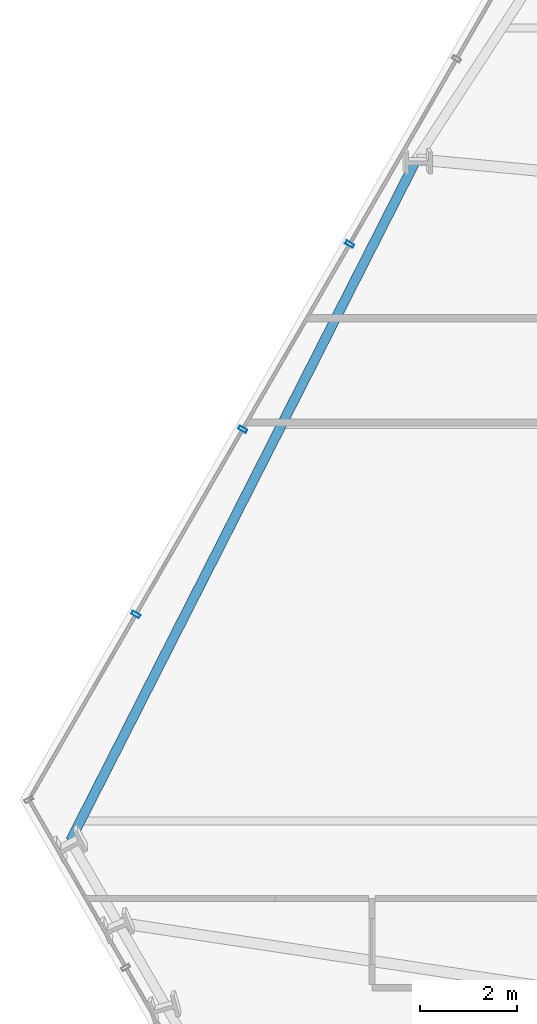
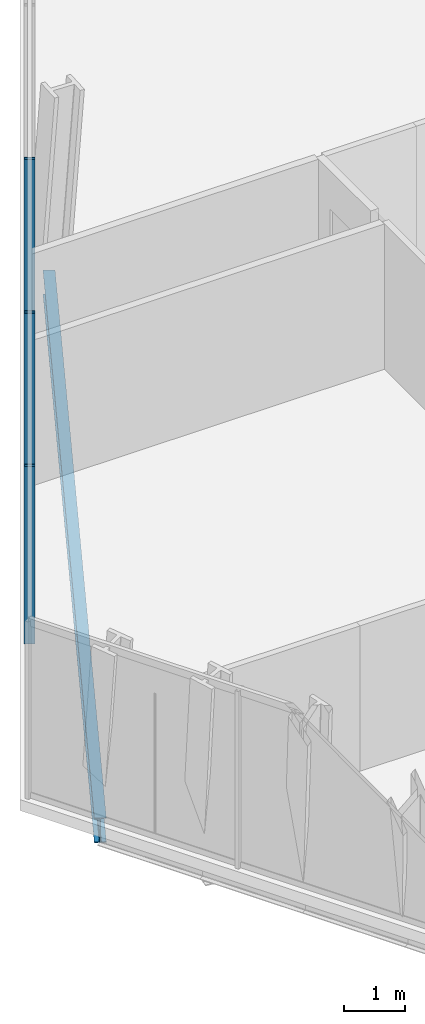
# One storey, part 10 of 32: 3 members, 1 beam, 1 element without a shape of its own.
"""IFC4 building model written with IfcOpenShell, lengths in metres."""

import ifcopenshell
import ifcopenshell.guid

model = None  # the IFC model being written
_history = None  # IfcOwnerHistory: only IFC2X3 demands one
_inside = {}  # id of a spatial element -> (the spatial element, [elements in it])
_under = {}  # id of a project, library or spatial element -> (it, [spatial elements below it])
_declared = {}  # id of a project -> (the project, [libraries it declares])
_typed = {}  # id of a type object -> (the type object, [elements of that type])
_made_of = {}  # id of a material, layer set ... -> (it, [elements and type objects made of it])


def new_model(schema):
    """Start an empty IFC model of exactly this schema.

    Asked for "IFC4X3", IfcOpenShell would pick the latest addendum, in which some entities
    have other attributes; the version numbers below select the first issue.
    IFC2X3 requires an IfcOwnerHistory on every rooted entity: one is made here for all.
    """
    global model, _history
    if schema == "IFC4X3":
        model = ifcopenshell.file(schema_version=(4, 3, 0, 0))
    else:
        model = ifcopenshell.file(schema=schema)
    _inside.clear()
    _under.clear()
    _declared.clear()
    _typed.clear()
    _made_of.clear()
    _history = None
    if model.schema == "IFC2X3":
        org = make("IfcOrganization", Name="unknown")
        user = make(
            "IfcPersonAndOrganization",
            ThePerson=make("IfcPerson", FamilyName="unknown"),
            TheOrganization=org,
        )
        app = make(
            "IfcApplication",
            ApplicationDeveloper=org,
            Version="unknown",
            ApplicationFullName="unknown",
            ApplicationIdentifier="unknown",
        )
        _history = make(
            "IfcOwnerHistory",
            OwningUser=user,
            OwningApplication=app,
            ChangeAction="ADDED",
            CreationDate=0,
        )
    return model


def make(cls, **values):
    """One entity of the class cls with the attributes given. An attribute that is None is left unset."""
    return model.create_entity(
        cls, **{name: value for name, value in values.items() if value is not None}
    )


def rooted(cls, **values):
    """An entity with a GlobalId (a new one), such as an element, a storey or a relation."""
    return make(cls, GlobalId=ifcopenshell.guid.new(), OwnerHistory=_history, **values)


def si_unit(unit_type, name, prefix=None):
    """IfcSIUnit, for example si_unit("LENGTHUNIT", "METRE", prefix="MILLI")."""
    return make("IfcSIUnit", UnitType=unit_type, Prefix=prefix, Name=name)


def assignment(units):
    """IfcUnitAssignment: the units of a project."""
    return None if units is None else make("IfcUnitAssignment", Units=units)


def point(xyz):
    """IfcCartesianPoint."""
    return None if xyz is None else make("IfcCartesianPoint", Coordinates=xyz)


def direction(xyz):
    """IfcDirection."""
    return None if xyz is None else make("IfcDirection", DirectionRatios=xyz)


def frame(location, z_axis=None, x_axis=None):
    """IfcAxis2Placement3D, a coordinate frame: its origin and axes. An axis left out is left unset."""
    return make(
        "IfcAxis2Placement3D",
        Location=point(location),
        Axis=direction(z_axis),
        RefDirection=direction(x_axis),
    )


def frame_2d(location, x_axis=None):
    """IfcAxis2Placement2D, a coordinate frame in the plane: its origin and x axis."""
    return make(
        "IfcAxis2Placement2D", Location=point(location), RefDirection=direction(x_axis)
    )


def origin():
    """The frame at (0, 0, 0) with its axes left unset."""
    return frame((0.0, 0.0, 0.0))


def origin_2d():
    """The frame at (0, 0) in the plane with its x axis left unset."""
    return frame_2d((0.0, 0.0))


def place(relative_to, where):
    """IfcLocalPlacement: puts the frame where relative to a parent placement (None: the world)."""
    return make(
        "IfcLocalPlacement", PlacementRelTo=relative_to, RelativePlacement=where
    )


def context(
    kind, dimensions, precision=None, world=None, true_north=None, identifier=None
):
    """IfcGeometricRepresentationContext, for example the 3D "Model" context."""
    return make(
        "IfcGeometricRepresentationContext",
        ContextIdentifier=identifier,
        ContextType=kind,
        CoordinateSpaceDimension=dimensions,
        Precision=precision,
        WorldCoordinateSystem=world,
        TrueNorth=true_north,
    )


def subcontext(parent, identifier, kind, view, scale=None):
    """IfcGeometricRepresentationSubContext, for example "Body" below "Model"."""
    return make(
        "IfcGeometricRepresentationSubContext",
        ContextIdentifier=identifier,
        ContextType=kind,
        ParentContext=parent,
        TargetScale=scale,
        TargetView=view,
    )


def project(units=None, contexts=None):
    """IfcProject with its units and contexts."""
    return rooted(
        "IfcProject",
        Name="project",
        RepresentationContexts=contexts,
        UnitsInContext=assignment(units),
    )


def spatial(cls, under=None, at=None, **own):
    """A site, building, storey or space (cls), placed at a placement, below another one or the project."""
    s = rooted(cls, ObjectPlacement=at, **own)
    if under is not None:
        _under.setdefault(under.id(), (under, []))[1].append(s)
    return s


def profile(cls, at=None, kind="AREA", **sizes):
    """A parametric profile (cls). Its sizes go by their IFC names, for example OverallWidth=200.0."""
    return make(cls, ProfileType=kind, Position=at, **sizes)


def hollow_rectangle(**sizes):
    """IfcRectangleHollowProfileDef."""
    return profile("IfcRectangleHollowProfileDef", **sizes)


def i_section(**sizes):
    """IfcIShapeProfileDef."""
    return profile("IfcIShapeProfileDef", **sizes)


def extrude(swept, where, along, depth):
    """IfcExtrudedAreaSolid: the profile swept, set in the frame where, extruded along a direction by depth."""
    return make(
        "IfcExtrudedAreaSolid",
        SweptArea=swept,
        Position=where,
        ExtrudedDirection=direction(along),
        Depth=depth,
    )


def shape(context_of_items, identifier, shape_type, items):
    """IfcShapeRepresentation: the items that make up one representation, for example the "Body"."""
    return make(
        "IfcShapeRepresentation",
        ContextOfItems=context_of_items,
        RepresentationIdentifier=identifier,
        RepresentationType=shape_type,
        Items=items,
    )


def material(Name=None, Category=None):
    """IfcMaterial."""
    return make("IfcMaterial", Name=Name, Category=Category)


def layer(
    of_material, thickness, ventilated=None, Name=None, Category=None, Priority=None
):
    """IfcMaterialLayer: one layer of a wall or slab, of a material (None: an air gap)."""
    return make(
        "IfcMaterialLayer",
        Material=of_material,
        LayerThickness=thickness,
        IsVentilated=ventilated,
        Name=Name,
        Category=Category,
        Priority=Priority,
    )


def layer_set(layers, Name=None):
    """IfcMaterialLayerSet."""
    return make("IfcMaterialLayerSet", MaterialLayers=layers, LayerSetName=Name)


def material_profile(
    of_material, cross_section, Name=None, Category=None, Priority=None
):
    """IfcMaterialProfile: a cross section and its material."""
    return make(
        "IfcMaterialProfile",
        Name=Name,
        Material=of_material,
        Profile=cross_section,
        Priority=Priority,
        Category=Category,
    )


def profile_set(profiles, Name=None, composite=None):
    """IfcMaterialProfileSet."""
    return make(
        "IfcMaterialProfileSet",
        Name=Name,
        MaterialProfiles=profiles,
        CompositeProfile=composite,
    )


def made_of(thing, what):
    """Note that an element or type object is made of a material, layer set ...; save() writes the relation."""
    if what is not None:
        _made_of.setdefault(what.id(), (what, []))[1].append(thing)
    return thing


def type_object(cls, material=None, **own):
    """A type object (cls), such as IfcWallType, which elements share."""
    return made_of(rooted(cls, **own), material)


def element(
    cls,
    number,
    at=None,
    inside=None,
    cuts=None,
    type_object=None,
    material=None,
    context=None,
    identifier="Body",
    shape_type=None,
    held_by="IfcProductDefinitionShape",
    body=None,
    shapes=None,
    **own,
):
    """One element of the class cls, such as IfcWall. Its Tag is "e" and its number.

    at: its placement. inside: the storey or other place that contains it. cuts: it is an
    opening in that element (IfcRelVoidsElement). A single representation is given by context,
    identifier, shape_type and body (its items); several are given by shapes. held_by: the class
    of the entity that holds the representations. save() writes the other relations.
    """
    e = rooted(cls, Tag="e%d" % number, ObjectPlacement=at, **own)
    if body is not None:
        shapes = [shape(context, identifier, shape_type, body)]
    if shapes is not None:
        e.Representation = make(held_by, Representations=shapes)
    if inside is not None:
        _inside.setdefault(inside.id(), (inside, []))[1].append(e)
    if cuts is not None:
        rooted(
            "IfcRelVoidsElement", RelatingBuildingElement=cuts, RelatedOpeningElement=e
        )
    if type_object is not None:
        _typed.setdefault(type_object.id(), (type_object, []))[1].append(e)
    return made_of(e, material)


def aggregate(whole, parts):
    """IfcRelAggregates: a whole, such as a stair, and the parts it consists of."""
    return rooted("IfcRelAggregates", RelatingObject=whole, RelatedObjects=parts)


def save(model, path):
    """Write the relations noted so far, then the file.

    IfcRelAggregates (storeys below a building ...), IfcRelContainedInSpatialStructure (elements
    in a storey), IfcRelDefinesByType, IfcRelAssociatesMaterial and IfcRelDeclares: one each for
    every whole, place, type object, material and project.
    """
    for whole, parts in _under.values():
        aggregate(whole, parts)
    for where, things in _inside.values():
        rooted(
            "IfcRelContainedInSpatialStructure",
            RelatedElements=things,
            RelatingStructure=where,
        )
    for kind, things in _typed.values():
        rooted("IfcRelDefinesByType", RelatedObjects=things, RelatingType=kind)
    for what, things in _made_of.values():
        rooted("IfcRelAssociatesMaterial", RelatedObjects=things, RelatingMaterial=what)
    for by, libraries in _declared.values():
        rooted("IfcRelDeclares", RelatingContext=by, RelatedDefinitions=libraries)
    model.write(path)


model = new_model("IFC4")

# Units and contexts
model_context = context("Model", 3, precision=1e-05, world=origin(), true_north=direction((0.0, 1.0)))
body_context = subcontext(model_context, "Body", "Model", "MODEL_VIEW")
ifc_project = project(units=[si_unit("LENGTHUNIT", "METRE"), si_unit("AREAUNIT", "SQUARE_METRE"), si_unit("VOLUMEUNIT", "CUBIC_METRE"), si_unit("PLANEANGLEUNIT", "RADIAN"), si_unit("MASSUNIT", "GRAM", prefix="KILO")], contexts=[model_context])

# Site, building, storey
site_placement = place(None, origin())
site = spatial("IfcSite", under=ifc_project, at=site_placement, CompositionType="ELEMENT")
building_placement = place(site_placement, origin())
building = spatial("IfcBuilding", under=site, at=building_placement, Name="Ndaravel Arena Tower", CompositionType="ELEMENT")
storey_placement = place(building_placement, frame((0.0, 0.0, 55.0)))
storey = spatial("IfcBuildingStorey", under=building, at=storey_placement, Name="L11", CompositionType="ELEMENT", Elevation=55.0)

# Beam
ifc_material_1 = material(Name="Steel S355", Category="steel")
ifc_material_profile_1 = material_profile(ifc_material_1, i_section(OverallWidth=0.199951171875, OverallDepth=0.5, WebThickness=0.01025390625, FlangeThickness=0.01611328125, FilletRadius=0.02099609375, at=origin_2d()), Name="IPE 500")
ifc_profile_set_1 = profile_set([ifc_material_profile_1], Name="Steel S355")
beam_type = type_object("IfcBeamType", Name="BM-SPAN-IPE500", PredefinedType="SPANDREL", material=ifc_profile_set_1)
beam_placement = place(storey_placement, frame((26.523681640625, 32.285400390625, -0.469970703125), z_axis=(-0.452845189288, -0.891589162416, 0.0), x_axis=(0.891589162416, -0.452845189288, 0.0)))
element("IfcBeam", 1, at=beam_placement, inside=storey, type_object=beam_type, Name="L11 Perimeter Spandrel Beam SP-19", PredefinedType="SPANDREL", context=body_context, shape_type="SweptSolid", body=[
    extrude(i_section(OverallWidth=0.199951171875, OverallDepth=0.5, WebThickness=0.01025390625, FlangeThickness=0.01611328125, FilletRadius=0.02099609375, at=origin_2d()), origin(), (0.0, 0.0, 1.0), 15.80712890625),
])

# Curtain wall, members
ifc_material_2 = material(Name="Aluminium", Category="aluminium")
ifc_layer = layer(ifc_material_2, 0.179931640625)
ifc_layer_set = layer_set([ifc_layer], Name="Aluminium")
curtain_wall_type = type_object("IfcCurtainWallType", Name="CW-SYS-03", PredefinedType="NOTDEFINED", material=ifc_layer_set)
curtain_wall_placement = place(storey_placement, origin())
curtain_wall = element("IfcCurtainWall", 2, at=curtain_wall_placement, inside=storey, type_object=curtain_wall_type, Name="L11 Faceted Crystal Curtain Wall CW-L11-E05", PredefinedType="NOTDEFINED")
ifc_material_3 = material(Name="Aluminium", Category="aluminium")
ifc_material_profile_2 = material_profile(ifc_material_3, hollow_rectangle(XDim=0.074951171875, YDim=0.179931640625, WallThickness=0.00390625, at=origin_2d()), Name="CW MULLION 75x180x4")
ifc_profile_set_2 = profile_set([ifc_material_profile_2], Name="Aluminium")
member_type = type_object("IfcMemberType", Name="MEM-CW-MUL180", PredefinedType="MULLION", material=ifc_profile_set_2)
member_1_placement = place(storey_placement, frame((25.14111328125, 30.5302734375, 0.0), z_axis=(0.0, 0.0, 1.0), x_axis=(-0.5, -0.866025403784, 0.0)))
member_1 = element("IfcMember", 3, at=member_1_placement, type_object=member_type, Name="CW-L11-E05 Mullion 04", PredefinedType="MULLION", context=body_context, shape_type="SweptSolid", body=[
    extrude(hollow_rectangle(XDim=0.074951171875, YDim=0.179931640625, WallThickness=0.00390625, at=origin_2d()), origin(), (0.0, 0.0, 1.0), 3.580078125),
])
member_2_placement = place(storey_placement, frame((22.9296875, 26.699951171875, 0.0), z_axis=(0.0, 0.0, 1.0), x_axis=(-0.5, -0.866025403784, 0.0)))
member_2 = element("IfcMember", 4, at=member_2_placement, type_object=member_type, Name="CW-L11-E05 Mullion 05", PredefinedType="MULLION", context=body_context, shape_type="SweptSolid", body=[
    extrude(hollow_rectangle(XDim=0.074951171875, YDim=0.179931640625, WallThickness=0.00390625, at=origin_2d()), origin(), (0.0, 0.0, 1.0), 3.580078125),
])
member_3_placement = place(storey_placement, frame((20.71826171875, 22.869873046875, 0.0), z_axis=(0.0, 0.0, 1.0), x_axis=(-0.5, -0.866025403784, 0.0)))
member_3 = element("IfcMember", 5, at=member_3_placement, type_object=member_type, Name="CW-L11-E05 Mullion 06", PredefinedType="MULLION", context=body_context, shape_type="SweptSolid", body=[
    extrude(hollow_rectangle(XDim=0.074951171875, YDim=0.179931640625, WallThickness=0.00390625, at=origin_2d()), origin(), (0.0, 0.0, 1.0), 3.580078125),
])
aggregate(curtain_wall, [member_1, member_2, member_3])

save(model, "model.ifc")
